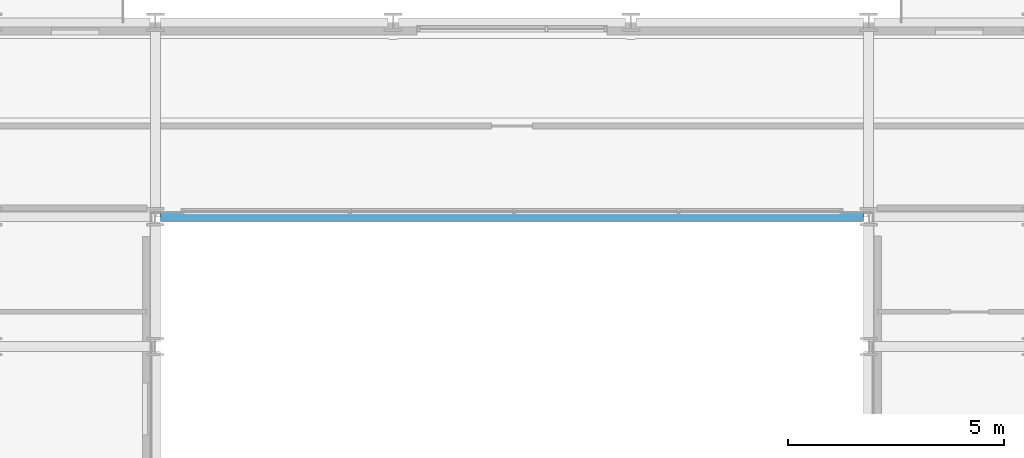
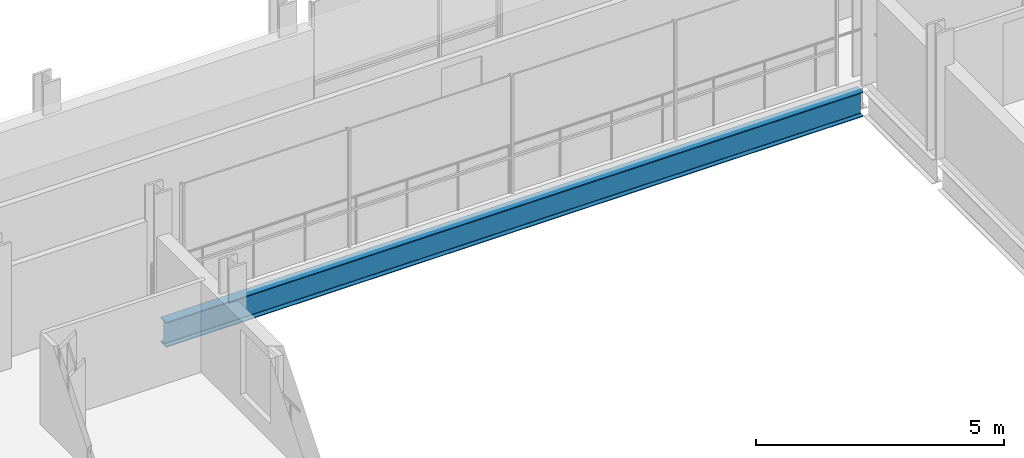
# One storey, part 10 of 39: 1 beam.
"""IFC4 building model written with IfcOpenShell, lengths in metres."""

from ifc_helpers import new_model, si_unit, direction, frame, origin, origin_2d, place, context, subcontext, project, spatial, i_section, extrude, material, material_profile, profile_set, type_object, element, save


model = new_model("IFC4")

# Units and contexts
model_context = context("Model", 3, precision=1e-05, world=origin(), true_north=direction((0.0, 1.0)))
body_context = subcontext(model_context, "Body", "Model", "MODEL_VIEW")
ifc_project = project(units=[si_unit("LENGTHUNIT", "METRE"), si_unit("AREAUNIT", "SQUARE_METRE"), si_unit("VOLUMEUNIT", "CUBIC_METRE"), si_unit("PLANEANGLEUNIT", "RADIAN"), si_unit("MASSUNIT", "GRAM", prefix="KILO")], contexts=[model_context])

# Site, building, storey
site_placement = place(None, origin())
site = spatial("IfcSite", under=ifc_project, at=site_placement, CompositionType="ELEMENT")
building_placement = place(site_placement, origin())
building = spatial("IfcBuilding", under=site, at=building_placement, Name="Brevholm Reach", CompositionType="ELEMENT")
storey_placement = place(building_placement, frame((0.0, 0.0, 109.699951171875)))
storey = spatial("IfcBuildingStorey", under=building, at=storey_placement, Name="L32", CompositionType="ELEMENT", Elevation=109.699951171875)

# Beam
ifc_material = material(Name="Structural Steel S355J2", Category="steel")
ifc_material_profile = material_profile(ifc_material, i_section(OverallWidth=0.22900390625, OverallDepth=0.6123046875, WebThickness=0.011962890625, FlangeThickness=0.01953125, FilletRadius=0.0126953125, at=origin_2d()), Name="UKB 610x229x125")
ifc_profile_set = profile_set([ifc_material_profile], Name="Structural Steel S355J2")
beam_type = type_object("IfcBeamType", Name="BM-SP610", PredefinedType="SPANDREL", material=ifc_profile_set)
beam_placement = place(storey_placement, frame((21.8701171875, 26.5, -0.526123046875), z_axis=(1.0, 0.0, 0.0), x_axis=(0.0, 1.0, 0.0)))
element("IfcBeam", 1, at=beam_placement, inside=storey, type_object=beam_type, Name="L32 SP-01 Framing Beam", PredefinedType="SPANDREL", context=body_context, shape_type="SweptSolid", body=[
    extrude(i_section(OverallWidth=0.22900390625, OverallDepth=0.6123046875, WebThickness=0.011962890625, FlangeThickness=0.01953125, FilletRadius=0.0126953125, at=origin_2d()), origin(), (0.0, 0.0, 1.0), 16.259765625),
])

save(model, "model.ifc")
